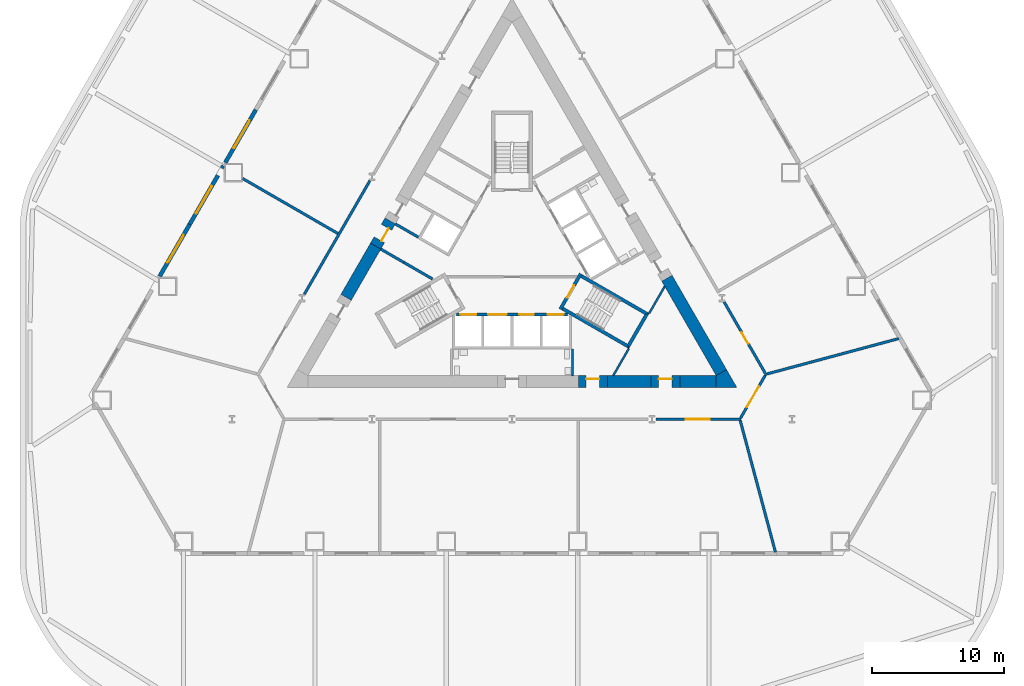
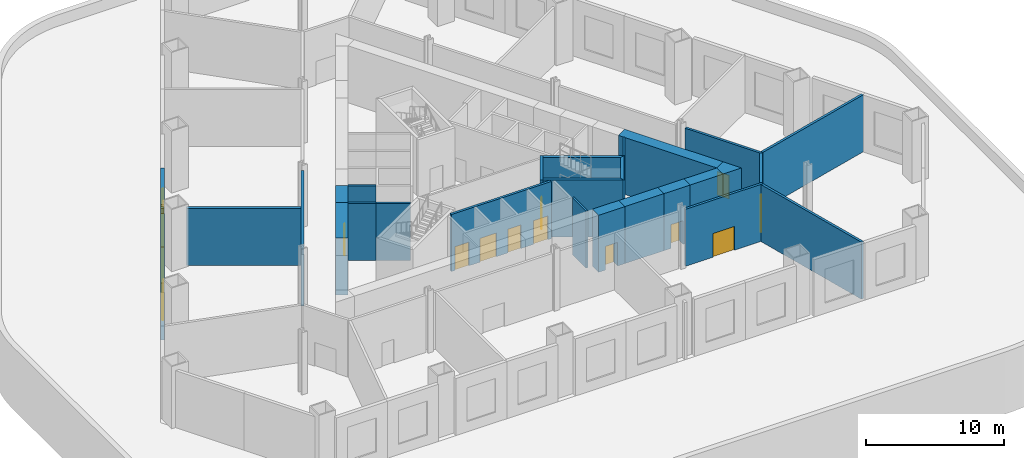
# One storey, part 4 of 10: 30 walls, 11 doors, 3 windows, 14 openings.
"""IFC4 building model written with IfcOpenShell, lengths in metres."""

from ifc_helpers import new_model, si_unit, direction, frame, frame_2d, origin, place, context, subcontext, project, spatial, polyline, rectangle, outline, extrude, material, layer, layer_set, type_object, element, fill, save


model = new_model("IFC4")

# Units and contexts
model_context = context("Model", 3, precision=1e-05, world=origin(), true_north=direction((0.0, 1.0)))
body_context = subcontext(model_context, "Body", "Model", "MODEL_VIEW")
ifc_project = project(units=[si_unit("LENGTHUNIT", "METRE"), si_unit("AREAUNIT", "SQUARE_METRE"), si_unit("VOLUMEUNIT", "CUBIC_METRE"), si_unit("PLANEANGLEUNIT", "RADIAN"), si_unit("MASSUNIT", "GRAM", prefix="KILO")], contexts=[model_context])

# Site, building, storey
site_placement = place(None, origin())
site = spatial("IfcSite", under=ifc_project, at=site_placement, CompositionType="ELEMENT")
building_placement = place(site_placement, origin())
building = spatial("IfcBuilding", under=site, at=building_placement, Name="Cormorant Prow Tower", CompositionType="ELEMENT")
storey_placement = place(building_placement, frame((0.0, 0.0, 10.0)))
storey = spatial("IfcBuildingStorey", under=building, at=storey_placement, Name="L01", CompositionType="ELEMENT", Elevation=10.0)

# Walls
ifc_material_1 = material(Name="Gypsum board partition")
ifc_layer_1 = layer(ifc_material_1, 0.14990234375)
ifc_layer_set_1 = layer_set([ifc_layer_1], Name="Gypsum board partition")
wall_type_1 = type_object("IfcWallType", Name="Core partition 150", PredefinedType="PARTITIONING", material=ifc_layer_set_1)
wall_1_placement = place(storey_placement, frame((4.574951171875, -6.906005859375, 0.0), z_axis=(0.0, 0.0, 1.0), x_axis=(0.0, -1.0, 0.0)))
element("IfcWall", 1, at=wall_1_placement, inside=storey, type_object=wall_type_1, Name="Service room partition", PredefinedType="PARTITIONING", context=body_context, shape_type="SweptSolid", body=[
    extrude(rectangle(XDim=2.009033203125, YDim=0.14990234375, at=frame_2d((1.00439453125, 0.0))), origin(), (0.0, 0.0, 1.0), 5.050048828125),
])
wall_2_placement = place(storey_placement, frame((8.82958984375, -6.880615234375, 0.0), z_axis=(0.0, 0.0, 1.0), x_axis=(-0.500073279432, -0.865983091751, 0.0)))
element("IfcWall", 2, at=wall_2_placement, inside=storey, type_object=wall_type_1, Name="Service room partition", PredefinedType="PARTITIONING", context=body_context, shape_type="SweptSolid", body=[
    extrude(rectangle(XDim=2.349365234375, YDim=0.14990234375, at=frame_2d((1.1748046875, 0.0))), origin(), (0.0, 0.0, 1.0), 5.050048828125),
])
wall_3_placement = place(storey_placement, frame((10.37353515625, -4.206298828125, 0.0), z_axis=(0.0, 0.0, 1.0), x_axis=(0.499995339376, 0.86602809458, 0.0)))
element("IfcWall", 3, at=wall_3_placement, inside=storey, type_object=wall_type_1, Name="Service room partition", PredefinedType="PARTITIONING", context=body_context, shape_type="SweptSolid", body=[
    extrude(rectangle(XDim=2.34912109375, YDim=0.14990234375, at=frame_2d((1.174560546875, 0.0))), origin(), (0.0, 0.0, 1.0), 5.050048828125),
])
ifc_material_2 = material(Name="Concrete 8000 psi", Category="concrete")
ifc_layer_2 = layer(ifc_material_2, 0.89990234375)
ifc_layer_set_2 = layer_set([ifc_layer_2], Name="Concrete 8000 psi")
wall_type_2 = type_object("IfcWallType", Name="Core shear wall 900", PredefinedType="SHEAR", material=ifc_layer_set_2)
wall_4_placement = place(storey_placement, frame((7.208984375, -9.364990234375, 0.0), z_axis=(0.0, 0.0, 1.0), x_axis=(1.0, 0.0, 0.0)))
element("IfcWall", 4, at=wall_4_placement, inside=storey, type_object=wall_type_2, Name="Core wall", PredefinedType="SHEAR", context=body_context, shape_type="SweptSolid", body=[
    extrude(rectangle(XDim=3.282470703125, YDim=0.89990234375, at=frame_2d((1.64111328125, 0.0))), origin(), (0.0, 0.0, 1.0), 5.050048828125),
])
wall_5_placement = place(storey_placement, frame((12.69140625, -9.364990234375, 0.0), z_axis=(0.0, 0.0, 1.0), x_axis=(1.0, 0.0, 0.0)))
element("IfcWall", 5, at=wall_5_placement, inside=storey, type_object=wall_type_2, Name="Core wall", PredefinedType="SHEAR", context=body_context, shape_type="SweptSolid", body=[
    extrude(rectangle(XDim=2.749755859375, YDim=0.89990234375, at=frame_2d((1.375, 0.0))), origin(), (0.0, 0.0, 1.0), 5.050048828125),
])
wall_6_placement = place(storey_placement, frame((15.830810546875, -8.68994140625, 0.0), z_axis=(0.0, 0.0, 1.0), x_axis=(-0.499995435471, 0.8660280391, 0.0)))
element("IfcWall", 6, at=wall_6_placement, inside=storey, type_object=wall_type_2, Name="Core wall", PredefinedType="SHEAR", context=body_context, shape_type="SweptSolid", body=[
    extrude(rectangle(XDim=8.23193359375, YDim=0.89990234375, at=frame_2d((4.115966796875, 0.0))), origin(), (0.0, 0.0, 1.0), 5.050048828125),
])
wall_7_placement = place(storey_placement, frame((-10.310302734375, 0.8720703125, 0.0), z_axis=(0.0, 0.0, 1.0), x_axis=(-0.499991893987, -0.866030083742, 0.0)))
element("IfcWall", 7, at=wall_7_placement, inside=storey, type_object=wall_type_2, Name="Core wall", PredefinedType="SHEAR", context=body_context, shape_type="SweptSolid", body=[
    extrude(rectangle(XDim=4.470703125, YDim=0.89990234375, at=frame_2d((2.2353515625, 0.0))), origin(), (0.0, 0.0, 1.0), 5.050048828125),
])
wall_8_placement = place(storey_placement, origin())
element("IfcWall", 8, at=wall_8_placement, inside=storey, type_object=wall_type_2, Name="Core wall corner", PredefinedType="SHEAR", context=body_context, shape_type="SweptSolid", body=[
    extrude(outline(polyline([(15.441162109375, -9.81494140625), (15.441162109375, -8.9150390625), (16.220703125, -8.465087890625), (17.0, -9.81494140625), (15.441162109375, -9.81494140625)])), origin(), (0.0, 0.0, 1.0), 5.050048828125),
])

# Wall, opening, door
wall_9_placement = place(storey_placement, frame((10.491455078125, -9.364990234375, 0.0), z_axis=(0.0, 0.0, 1.0), x_axis=(1.0, 0.0, 0.0)))
wall_9 = element("IfcWall", 9, at=wall_9_placement, inside=storey, type_object=wall_type_2, Name="Core wall door panel", PredefinedType="SHEAR", context=body_context, shape_type="SweptSolid", body=[
    extrude(rectangle(XDim=2.199951171875, YDim=0.89990234375, at=frame_2d((1.10009765625, 0.0))), origin(), (0.0, 0.0, 1.0), 5.050048828125),
])
opening_1_placement = place(wall_9_placement, frame((0.60009765625, 0.0, 0.0)))
opening_1 = element("IfcOpeningElement", 10, at=opening_1_placement, cuts=wall_9, Name="Opening L01-C17", PredefinedType="OPENING", context=body_context, shape_type="SweptSolid", body=[
    extrude(rectangle(XDim=1.0, YDim=2.10009765625, at=frame_2d((0.5, 1.050048828125))), frame((0.0, 0.4599609375, 0.0), z_axis=(0.0, -1.0, 0.0), x_axis=(1.0, 0.0, 0.0)), (0.0, 0.0, 1.0), 0.919921875),
])
ifc_material_3 = material(Name="Painted steel", Category="steel")
door_type_1 = type_object("IfcDoorType", Name="Service door 1000x2100", OperationType="NOTDEFINED", PredefinedType="DOOR", material=ifc_material_3)
door_1_placement = place(opening_1_placement, origin())
door_1 = element("IfcDoor", 11, at=door_1_placement, inside=storey, type_object=door_type_1, Name="Core door, Mechanical riser room", OperationType="SINGLE_SWING_LEFT", OverallHeight=2.10009765625, OverallWidth=1.0, PredefinedType="DOOR", context=body_context, shape_type="SweptSolid", body=[
    extrude(rectangle(XDim=1.0, YDim=2.10009765625, at=frame_2d((0.5, 1.050048828125))), frame((0.0, 0.205078125, 0.0), z_axis=(0.0, -1.0, 0.0), x_axis=(1.0, 0.0, 0.0)), (0.0, 0.0, 1.0), 0.050048828125),
])
fill(opening_1, door_1)

wall_10_placement = place(storey_placement, frame((5.009033203125, -9.364990234375, 0.0), z_axis=(0.0, 0.0, 1.0), x_axis=(1.0, 0.0, 0.0)))
wall_10 = element("IfcWall", 12, at=wall_10_placement, inside=storey, type_object=wall_type_2, Name="Core wall door panel", PredefinedType="SHEAR", context=body_context, shape_type="SweptSolid", body=[
    extrude(rectangle(XDim=2.199951171875, YDim=0.89990234375, at=frame_2d((1.10009765625, 0.0))), origin(), (0.0, 0.0, 1.0), 5.050048828125),
])
opening_2_placement = place(wall_10_placement, frame((0.60009765625, 0.0, 0.0)))
opening_2 = element("IfcOpeningElement", 13, at=opening_2_placement, cuts=wall_10, Name="Opening L01-C22", PredefinedType="OPENING", context=body_context, shape_type="SweptSolid", body=[
    extrude(rectangle(XDim=1.0, YDim=2.10009765625, at=frame_2d((0.5, 1.050048828125))), frame((0.0, 0.4599609375, 0.0), z_axis=(0.0, -1.0, 0.0), x_axis=(1.0, 0.0, 0.0)), (0.0, 0.0, 1.0), 0.919921875),
])
door_2_placement = place(opening_2_placement, origin())
door_2 = element("IfcDoor", 14, at=door_2_placement, inside=storey, type_object=door_type_1, Name="Core door, Mechanical riser room", OperationType="SINGLE_SWING_LEFT", OverallHeight=2.10009765625, OverallWidth=1.0, PredefinedType="DOOR", context=body_context, shape_type="SweptSolid", body=[
    extrude(rectangle(XDim=1.0, YDim=2.10009765625, at=frame_2d((0.5, 1.050048828125))), frame((0.0, 0.205078125, 0.0), z_axis=(0.0, -1.0, 0.0), x_axis=(1.0, 0.0, 0.0)), (0.0, 0.0, 1.0), 0.050048828125),
])
fill(opening_2, door_2)

wall_11_placement = place(storey_placement, frame((-9.210205078125, 2.777099609375, 0.0), z_axis=(0.0, 0.0, 1.0), x_axis=(-0.500077893725, -0.86598042715, 0.0)))
wall_11 = element("IfcWall", 15, at=wall_11_placement, inside=storey, type_object=wall_type_2, Name="Core wall door panel", PredefinedType="SHEAR", context=body_context, shape_type="SweptSolid", body=[
    extrude(rectangle(XDim=2.199951171875, YDim=0.89990234375, at=frame_2d((1.10009765625, 0.0))), origin(), (0.0, 0.0, 1.0), 5.050048828125),
])
opening_3_placement = place(wall_11_placement, frame((0.550048828125, 0.0, 0.0)))
opening_3 = element("IfcOpeningElement", 16, at=opening_3_placement, cuts=wall_11, Name="Opening L01-C23", PredefinedType="OPENING", context=body_context, shape_type="SweptSolid", body=[
    extrude(rectangle(XDim=1.10009765625, YDim=2.10009765625, at=frame_2d((0.550048828125, 1.050048828125))), frame((0.0, 0.4599609375, 0.0), z_axis=(0.0, -1.0, 0.0), x_axis=(1.0, 0.0, 0.0)), (0.0, 0.0, 1.0), 0.919921875),
])
ifc_material_4 = material(Name="Painted steel", Category="steel")
door_type_2 = type_object("IfcDoorType", Name="Core door 1100x2100", OperationType="NOTDEFINED", PredefinedType="DOOR", material=ifc_material_4)
door_3_placement = place(opening_3_placement, origin())
door_3 = element("IfcDoor", 17, at=door_3_placement, inside=storey, type_object=door_type_2, Name="Core door, lift lobby", OperationType="SINGLE_SWING_LEFT", OverallHeight=2.10009765625, OverallWidth=1.10009765625, PredefinedType="DOOR", context=body_context, shape_type="SweptSolid", body=[
    extrude(rectangle(XDim=1.10009765625, YDim=2.10009765625, at=frame_2d((0.550048828125, 1.050048828125))), frame((0.0, 0.205078125, 0.0), z_axis=(0.0, -1.0, 0.0), x_axis=(1.0, 0.0, 0.0)), (0.0, 0.0, 1.0), 0.050048828125),
])
fill(opening_3, door_3)

# Wall
ifc_material_5 = material(Name="Gypsum board corridor wall")
ifc_layer_3 = layer(ifc_material_5, 0.199951171875)
ifc_layer_set_3 = layer_set([ifc_layer_3], Name="Gypsum board corridor wall")
wall_type_3 = type_object("IfcWallType", Name="Corridor wall 200", PredefinedType="PARTITIONING", material=ifc_layer_set_3)
wall_12_placement = place(storey_placement, frame((-15.697509765625, -2.759033203125, 0.0), z_axis=(0.0, 0.0, 1.0), x_axis=(0.500004292778, 0.866022925334, 0.0)))
element("IfcWall", 18, at=wall_12_placement, inside=storey, type_object=wall_type_3, Name="Corridor wall", PredefinedType="PARTITIONING", context=body_context, shape_type="SweptSolid", body=[
    extrude(rectangle(XDim=9.89794921875, YDim=0.199951171875, at=frame_2d((4.948974609375, 0.0))), origin(), (0.0, 0.0, 1.0), 5.050048828125),
])

# Wall, opening, door
wall_13_placement = place(storey_placement, frame((10.873291015625, -12.215087890625, 0.0), z_axis=(0.0, 0.0, 1.0), x_axis=(1.0, 0.0, 0.0)))
wall_13 = element("IfcWall", 19, at=wall_13_placement, inside=storey, type_object=wall_type_3, Name="Corridor wall", PredefinedType="PARTITIONING", context=body_context, shape_type="SweptSolid", body=[
    extrude(rectangle(XDim=6.45751953125, YDim=0.199951171875, at=frame_2d((3.228759765625, 0.0))), origin(), (0.0, 0.0, 1.0), 5.050048828125),
])
opening_4_placement = place(wall_13_placement, frame((2.278076171875, 0.0, 0.0)))
opening_4 = element("IfcOpeningElement", 20, at=opening_4_placement, cuts=wall_13, Name="Opening L01-F10", PredefinedType="OPENING", context=body_context, shape_type="SweptSolid", body=[
    extrude(rectangle(XDim=1.800048828125, YDim=2.10009765625, at=frame_2d((0.89990234375, 1.050048828125))), frame((0.0, 0.10986328125, 0.0), z_axis=(0.0, -1.0, 0.0), x_axis=(1.0, 0.0, 0.0)), (0.0, 0.0, 1.0), 0.219970703125),
])
ifc_material_6 = material(Name="Timber door leaf", Category="wood")
door_type_3 = type_object("IfcDoorType", Name="Double door 1800x2100", OperationType="DOUBLE_DOOR_SINGLE_SWING", PredefinedType="DOOR", material=ifc_material_6)
door_4_placement = place(opening_4_placement, origin())
door_4 = element("IfcDoor", 21, at=door_4_placement, inside=storey, type_object=door_type_3, Name="Retail unit door", OperationType="DOUBLE_DOOR_SINGLE_SWING", OverallHeight=2.10009765625, OverallWidth=1.800048828125, PredefinedType="DOOR", context=body_context, shape_type="SweptSolid", body=[
    extrude(rectangle(XDim=1.800048828125, YDim=2.10009765625, at=frame_2d((0.89990234375, 1.050048828125))), frame((0.0, 0.02490234375, 0.0), z_axis=(0.0, -1.0, 0.0), x_axis=(1.0, 0.0, 0.0)), (0.0, 0.0, 1.0), 0.050048828125),
])
fill(opening_4, door_4)

wall_14_placement = place(storey_placement, frame((16.037841796875, -3.348388671875, 0.0), z_axis=(0.0, 0.0, 1.0), x_axis=(0.499988314375, -0.866032150378, 0.0)))
wall_14 = element("IfcWall", 22, at=wall_14_placement, inside=storey, type_object=wall_type_3, Name="Corridor wall", PredefinedType="PARTITIONING", context=body_context, shape_type="SweptSolid", body=[
    extrude(rectangle(XDim=6.412353515625, YDim=0.199951171875, at=frame_2d((3.2060546875, 0.0))), origin(), (0.0, 0.0, 1.0), 5.050048828125),
])
opening_5_placement = place(wall_14_placement, frame((2.656005859375, 0.0, 0.0)))
opening_5 = element("IfcOpeningElement", 23, at=opening_5_placement, cuts=wall_14, Name="Opening L01-F11", PredefinedType="OPENING", context=body_context, shape_type="SweptSolid", body=[
    extrude(rectangle(XDim=1.0, YDim=2.10009765625, at=frame_2d((0.5, 1.050048828125))), frame((0.0, 0.10986328125, 0.0), z_axis=(0.0, -1.0, 0.0), x_axis=(1.0, 0.0, 0.0)), (0.0, 0.0, 1.0), 0.219970703125),
])
ifc_material_7 = material(Name="Timber door leaf", Category="wood")
door_type_4 = type_object("IfcDoorType", Name="Flat or room entrance door 1000x2100", OperationType="NOTDEFINED", PredefinedType="DOOR", material=ifc_material_7)
door_5_placement = place(opening_5_placement, origin())
door_5 = element("IfcDoor", 24, at=door_5_placement, inside=storey, type_object=door_type_4, Name="Pharmacy door", OperationType="SINGLE_SWING_LEFT", OverallHeight=2.10009765625, OverallWidth=1.0, PredefinedType="DOOR", context=body_context, shape_type="SweptSolid", body=[
    extrude(rectangle(XDim=1.0, YDim=2.10009765625, at=frame_2d((0.5, 1.050048828125))), frame((0.0, 0.02490234375, 0.0), z_axis=(0.0, -1.0, 0.0), x_axis=(1.0, 0.0, 0.0)), (0.0, 0.0, 1.0), 0.050048828125),
])
fill(opening_5, door_5)

wall_15_placement = place(storey_placement, frame((17.281005859375, -12.12841796875, 0.0), z_axis=(0.0, 0.0, 1.0), x_axis=(0.499958791762, 0.866049194065, 0.0)))
wall_15 = element("IfcWall", 25, at=wall_15_placement, inside=storey, type_object=wall_type_3, Name="Corridor wall", PredefinedType="PARTITIONING", context=body_context, shape_type="SweptSolid", body=[
    extrude(rectangle(XDim=3.725830078125, YDim=0.199951171875, at=frame_2d((1.86279296875, 0.0))), origin(), (0.0, 0.0, 1.0), 5.050048828125),
])
opening_6_placement = place(wall_15_placement, frame((0.962890625, 0.0, 0.0)))
opening_6 = element("IfcOpeningElement", 26, at=opening_6_placement, cuts=wall_15, Name="Opening L01-F08", PredefinedType="OPENING", context=body_context, shape_type="SweptSolid", body=[
    extrude(rectangle(XDim=1.800048828125, YDim=2.10009765625, at=frame_2d((0.89990234375, 1.050048828125))), frame((0.0, 0.10986328125, 0.0), z_axis=(0.0, -1.0, 0.0), x_axis=(1.0, 0.0, 0.0)), (0.0, 0.0, 1.0), 0.219970703125),
])
door_6_placement = place(opening_6_placement, origin())
door_6 = element("IfcDoor", 27, at=door_6_placement, inside=storey, type_object=door_type_3, Name="Serviced office door", OperationType="DOUBLE_DOOR_SINGLE_SWING", OverallHeight=2.10009765625, OverallWidth=1.800048828125, PredefinedType="DOOR", context=body_context, shape_type="SweptSolid", body=[
    extrude(rectangle(XDim=1.800048828125, YDim=2.10009765625, at=frame_2d((0.89990234375, 1.050048828125))), frame((0.0, 0.02490234375, 0.0), z_axis=(0.0, -1.0, 0.0), x_axis=(1.0, 0.0, 0.0)), (0.0, 0.0, 1.0), 0.050048828125),
])
fill(opening_6, door_6)

# Walls
ifc_material_8 = material(Name="Gypsum board demising wall")
ifc_layer_4 = layer(ifc_material_8, 0.199951171875)
ifc_layer_set_4 = layer_set([ifc_layer_4], Name="Gypsum board demising wall")
wall_type_4 = type_object("IfcWallType", Name="Demising wall 200", PredefinedType="PARTITIONING", material=ifc_layer_set_4)
for number, where, z_axis, x_axis, name in (
    (28, (19.29052734375, -8.7890625, 0.0), (0.0, 0.0, 1.0), (0.965818413341, 0.259219583464, 0.0), "Demising wall"),
    (29, (17.256591796875, -12.3115234375, 0.0), (0.0, 0.0, 1.0), (0.258415425443, -0.966033885479, 0.0), "Demising wall"),
):
    element("IfcWall", number, at=place(storey_placement, frame(where, z_axis=z_axis, x_axis=x_axis)), inside=storey, type_object=wall_type_4, Name=name, PredefinedType="PARTITIONING", context=body_context, shape_type="SweptSolid", body=[
        extrude(rectangle(XDim=10.31396484375, YDim=0.199951171875, at=frame_2d((5.156982421875, 0.0))), origin(), (0.0, 0.0, 1.0), 5.050048828125),
    ])
wall_16_placement = place(storey_placement, frame((-20.35791015625, 5.97998046875, 0.0), z_axis=(0.0, 0.0, 1.0), x_axis=(0.866036778076, -0.499980298632, 0.0)))
element("IfcWall", 30, at=wall_16_placement, inside=storey, type_object=wall_type_4, Name="Demising wall", PredefinedType="PARTITIONING", context=body_context, shape_type="SweptSolid", body=[
    extrude(rectangle(XDim=8.305419921875, YDim=0.199951171875, at=frame_2d((4.15283203125, 0.0))), origin(), (0.0, 0.0, 1.0), 5.050048828125),
])
wall_17_placement = place(storey_placement, frame((-22.0, 6.92822265625, 0.0), z_axis=(0.0, 0.0, 1.0), x_axis=(0.866185586049, -0.49972245349, 0.0)))
element("IfcWall", 31, at=wall_17_placement, inside=storey, type_object=wall_type_4, Name="Demising wall", PredefinedType="PARTITIONING", context=body_context, shape_type="SweptSolid", body=[
    extrude(rectangle(XDim=0.256591796875, YDim=0.199951171875, at=frame_2d((0.12841796875, 0.0))), origin(), (0.0, 0.0, 1.0), 5.050048828125),
])

# Wall, openings, doors
ifc_material_9 = material(Name="Concrete 5000 psi", Category="concrete")
ifc_layer_5 = layer(ifc_material_9, 0.199951171875)
ifc_layer_set_5 = layer_set([ifc_layer_5], Name="Concrete 5000 psi")
wall_type_5 = type_object("IfcWallType", Name="Lift lobby wall 200", PredefinedType="SOLIDWALL", material=ifc_layer_set_5)
wall_18_placement = place(storey_placement, frame((-4.1865234375, -4.300048828125, 0.0), z_axis=(0.0, 0.0, 1.0), x_axis=(1.0, 0.0, 0.0)))
wall_18 = element("IfcWall", 32, at=wall_18_placement, inside=storey, type_object=wall_type_5, Name="Lift lobby wall, S block", PredefinedType="SOLIDWALL", context=body_context, shape_type="SweptSolid", body=[
    extrude(rectangle(XDim=8.373046875, YDim=0.199951171875, at=frame_2d((4.1865234375, 0.0))), origin(), (0.0, 0.0, 1.0), 5.050048828125),
])
opening_7_placement = place(wall_18_placement, frame((0.28662109375, 0.0, 0.0)))
opening_7 = element("IfcOpeningElement", 33, at=opening_7_placement, cuts=wall_18, Name="Opening L01-C01", PredefinedType="OPENING", context=body_context, shape_type="SweptSolid", body=[
    extrude(rectangle(XDim=1.199951171875, YDim=2.10009765625, at=frame_2d((0.60009765625, 1.050048828125))), frame((0.0, 0.10986328125, 0.0), z_axis=(0.0, -1.0, 0.0), x_axis=(1.0, 0.0, 0.0)), (0.0, 0.0, 1.0), 0.219970703125),
])
opening_8_placement = place(wall_18_placement, frame((2.38671875, 0.0, 0.0)))
opening_8 = element("IfcOpeningElement", 34, at=opening_8_placement, cuts=wall_18, Name="Opening L01-C02", PredefinedType="OPENING", context=body_context, shape_type="SweptSolid", body=[
    extrude(rectangle(XDim=1.39990234375, YDim=2.10009765625, at=frame_2d((0.699951171875, 1.050048828125))), frame((0.0, 0.10986328125, 0.0), z_axis=(0.0, -1.0, 0.0), x_axis=(1.0, 0.0, 0.0)), (0.0, 0.0, 1.0), 0.219970703125),
])
opening_9_placement = place(wall_18_placement, frame((4.736572265625, 0.0, 0.0)))
opening_9 = element("IfcOpeningElement", 35, at=opening_9_placement, cuts=wall_18, Name="Opening L01-C03", PredefinedType="OPENING", context=body_context, shape_type="SweptSolid", body=[
    extrude(rectangle(XDim=1.10009765625, YDim=2.10009765625, at=frame_2d((0.550048828125, 1.050048828125))), frame((0.0, 0.10986328125, 0.0), z_axis=(0.0, -1.0, 0.0), x_axis=(1.0, 0.0, 0.0)), (0.0, 0.0, 1.0), 0.219970703125),
])
opening_10_placement = place(wall_18_placement, frame((6.88671875, 0.0, 0.0)))
opening_10 = element("IfcOpeningElement", 36, at=opening_10_placement, cuts=wall_18, Name="Opening L01-C04", PredefinedType="OPENING", context=body_context, shape_type="SweptSolid", body=[
    extrude(rectangle(XDim=1.199951171875, YDim=2.10009765625, at=frame_2d((0.60009765625, 1.050048828125))), frame((0.0, 0.10986328125, 0.0), z_axis=(0.0, -1.0, 0.0), x_axis=(1.0, 0.0, 0.0)), (0.0, 0.0, 1.0), 0.219970703125),
])
ifc_material_10 = material(Name="Painted steel", Category="steel")
door_type_5 = type_object("IfcDoorType", Name="Firefighting lift landing door 1200x2100", OperationType="SLIDING_TO_LEFT", PredefinedType="DOOR", material=ifc_material_10)
door_7_placement = place(opening_7_placement, origin())
door_7 = element("IfcDoor", 37, at=door_7_placement, inside=storey, type_object=door_type_5, Name="Landing door FL1", OperationType="SLIDING_TO_LEFT", OverallHeight=2.10009765625, OverallWidth=1.199951171875, PredefinedType="DOOR", context=body_context, shape_type="SweptSolid", body=[
    extrude(rectangle(XDim=1.199951171875, YDim=2.10009765625, at=frame_2d((0.60009765625, 1.050048828125))), frame((0.0, 0.02490234375, 0.0), z_axis=(0.0, -1.0, 0.0), x_axis=(1.0, 0.0, 0.0)), (0.0, 0.0, 1.0), 0.050048828125),
])
fill(opening_7, door_7)
door_8_placement = place(opening_10_placement, origin())
door_8 = element("IfcDoor", 38, at=door_8_placement, inside=storey, type_object=door_type_5, Name="Landing door FL2", OperationType="SLIDING_TO_LEFT", OverallHeight=2.10009765625, OverallWidth=1.199951171875, PredefinedType="DOOR", context=body_context, shape_type="SweptSolid", body=[
    extrude(rectangle(XDim=1.199951171875, YDim=2.10009765625, at=frame_2d((0.60009765625, 1.050048828125))), frame((0.0, 0.02490234375, 0.0), z_axis=(0.0, -1.0, 0.0), x_axis=(1.0, 0.0, 0.0)), (0.0, 0.0, 1.0), 0.050048828125),
])
fill(opening_10, door_8)
ifc_material_11 = material(Name="Painted steel", Category="steel")
door_type_6 = type_object("IfcDoorType", Name="Lift landing door 1100x2100", OperationType="SLIDING_TO_LEFT", PredefinedType="DOOR", material=ifc_material_11)
door_9_placement = place(opening_9_placement, origin())
door_9 = element("IfcDoor", 39, at=door_9_placement, inside=storey, type_object=door_type_6, Name="Landing door LR1", OperationType="SLIDING_TO_LEFT", OverallHeight=2.10009765625, OverallWidth=1.10009765625, PredefinedType="DOOR", context=body_context, shape_type="SweptSolid", body=[
    extrude(rectangle(XDim=1.10009765625, YDim=2.10009765625, at=frame_2d((0.550048828125, 1.050048828125))), frame((0.0, 0.02490234375, 0.0), z_axis=(0.0, -1.0, 0.0), x_axis=(1.0, 0.0, 0.0)), (0.0, 0.0, 1.0), 0.050048828125),
])
fill(opening_9, door_9)
ifc_material_12 = material(Name="Painted steel", Category="steel")
door_type_7 = type_object("IfcDoorType", Name="Service lift landing door 1400x2100", OperationType="SLIDING_TO_LEFT", PredefinedType="DOOR", material=ifc_material_12)
door_10_placement = place(opening_8_placement, origin())
door_10 = element("IfcDoor", 40, at=door_10_placement, inside=storey, type_object=door_type_7, Name="Landing door SL1", OperationType="SLIDING_TO_LEFT", OverallHeight=2.10009765625, OverallWidth=1.39990234375, PredefinedType="DOOR", context=body_context, shape_type="SweptSolid", body=[
    extrude(rectangle(XDim=1.39990234375, YDim=2.10009765625, at=frame_2d((0.699951171875, 1.050048828125))), frame((0.0, 0.02490234375, 0.0), z_axis=(0.0, -1.0, 0.0), x_axis=(1.0, 0.0, 0.0)), (0.0, 0.0, 1.0), 0.050048828125),
])
fill(opening_8, door_10)

# Walls
ifc_material_13 = material(Name="Concrete 8000 psi", Category="concrete")
ifc_layer_6 = layer(ifc_material_13, 0.199951171875)
ifc_layer_set_6 = layer_set([ifc_layer_6], Name="Concrete 8000 psi")
wall_type_6 = type_object("IfcWallType", Name="Lift shaft wall 200", PredefinedType="SHEAR", material=ifc_layer_set_6)
wall_19_placement = place(storey_placement, origin())
element("IfcWall", 41, at=wall_19_placement, inside=storey, type_object=wall_type_6, Name="Lift shaft walls, WNW block", PredefinedType="SHEAR", context=body_context, shape_type="SweptSolid", body=[
    extrude(outline(polyline([(-6.060546875, -1.697021484375), (-8.230712890625, -0.444091796875), (-8.130859375, -0.27099609375), (-5.96044921875, -1.52392578125), (-6.060546875, -1.697021484375)])), origin(), (0.0, 0.0, 1.0), 5.050048828125),
])
wall_20_placement = place(storey_placement, frame((-7.080810546875, 1.547607421875, 0.0), z_axis=(0.0, 0.0, 1.0), x_axis=(-0.865983199114, 0.50007309351, 0.0)))
element("IfcWall", 42, at=wall_20_placement, inside=storey, type_object=wall_type_6, Name="Lobby passage wall", PredefinedType="SHEAR", context=body_context, shape_type="SweptSolid", body=[
    extrude(rectangle(XDim=2.009033203125, YDim=0.199951171875, at=frame_2d((1.00439453125, 0.0))), origin(), (0.0, 0.0, 1.0), 5.050048828125),
])
wall_21_placement = place(storey_placement, frame((-8.180908203125, -0.357421875, 0.0), z_axis=(0.0, 0.0, 1.0), x_axis=(-0.866035824272, 0.499981950752, 0.0)))
element("IfcWall", 43, at=wall_21_placement, inside=storey, type_object=wall_type_6, Name="Lobby passage wall", PredefinedType="SHEAR", context=body_context, shape_type="SweptSolid", body=[
    extrude(rectangle(XDim=2.0087890625, YDim=0.199951171875, at=frame_2d((1.00439453125, 0.0))), origin(), (0.0, 0.0, 1.0), 5.050048828125),
])
ifc_material_14 = material(Name="Concrete 8000 psi", Category="concrete")
ifc_layer_7 = layer(ifc_material_14, 0.25)
ifc_layer_set_7 = layer_set([ifc_layer_7], Name="Concrete 8000 psi")
wall_type_7 = type_object("IfcWallType", Name="Stair wall 250", PredefinedType="SHEAR", material=ifc_layer_set_7)
wall_22_placement = place(storey_placement, origin())
element("IfcWall", 44, at=wall_22_placement, inside=storey, type_object=wall_type_7, Name="Stair ST2 enclosure wall (flank)", PredefinedType="SHEAR", context=body_context, shape_type="SweptSolid", body=[
    extrude(outline(polyline([(3.76318359375, -3.95556640625), (8.82958984375, -6.880615234375), (8.738037109375, -6.5390625), (3.88818359375, -3.739013671875), (3.76318359375, -3.95556640625)])), origin(), (0.0, 0.0, 1.0), 5.050048828125),
])
wall_23_placement = place(storey_placement, origin())
element("IfcWall", 45, at=wall_23_placement, inside=storey, type_object=wall_type_7, Name="Stair ST2 enclosure wall (end)", PredefinedType="SHEAR", context=body_context, shape_type="SweptSolid", body=[
    extrude(outline(polyline([(8.82958984375, -6.880615234375), (10.37353515625, -4.206298828125), (10.031982421875, -4.2978515625), (8.738037109375, -6.5390625), (8.82958984375, -6.880615234375)])), origin(), (0.0, 0.0, 1.0), 5.050048828125),
])
wall_24_placement = place(storey_placement, origin())
element("IfcWall", 46, at=wall_24_placement, inside=storey, type_object=wall_type_7, Name="Stair ST2 enclosure wall (flank)", PredefinedType="SHEAR", context=body_context, shape_type="SweptSolid", body=[
    extrude(outline(polyline([(10.031982421875, -4.2978515625), (10.37353515625, -4.206298828125), (5.30712890625, -1.28125), (5.18212890625, -1.497802734375), (10.031982421875, -4.2978515625)])), origin(), (0.0, 0.0, 1.0), 5.050048828125),
])

# Wall, opening, door
wall_25_placement = place(storey_placement, frame((3.655029296875, -3.89306640625, 0.0), z_axis=(0.0, 0.0, 1.0), x_axis=(0.499982516597, 0.866035497597, 0.0)))
wall_25 = element("IfcWall", 47, at=wall_25_placement, inside=storey, type_object=wall_type_7, Name="Stair ST2 door wall", PredefinedType="SHEAR", context=body_context, shape_type="SweptSolid", body=[
    extrude(rectangle(XDim=3.087890625, YDim=0.25, at=frame_2d((1.5439453125, 0.0))), origin(), (0.0, 0.0, 1.0), 5.050048828125),
])
opening_11_placement = place(wall_25_placement, frame((0.993896484375, 0.0, 0.0)))
opening_11 = element("IfcOpeningElement", 48, at=opening_11_placement, cuts=wall_25, Name="Opening L01-C13", PredefinedType="OPENING", context=body_context, shape_type="SweptSolid", body=[
    extrude(rectangle(XDim=1.10009765625, YDim=2.10009765625, at=frame_2d((0.550048828125, 1.050048828125))), frame((0.0, 0.135009765625, 0.0), z_axis=(0.0, -1.0, 0.0), x_axis=(1.0, 0.0, 0.0)), (0.0, 0.0, 1.0), 0.27001953125),
])
ifc_material_15 = material(Name="Painted steel", Category="steel")
door_type_8 = type_object("IfcDoorType", Name="Stair door 1100x2100", OperationType="NOTDEFINED", PredefinedType="DOOR", material=ifc_material_15)
door_11_placement = place(opening_11_placement, origin())
door_11 = element("IfcDoor", 49, at=door_11_placement, inside=storey, type_object=door_type_8, Name="Stair ST2 door", OperationType="SINGLE_SWING_RIGHT", OverallHeight=2.10009765625, OverallWidth=1.10009765625, PredefinedType="DOOR", context=body_context, shape_type="SweptSolid", body=[
    extrude(rectangle(XDim=1.10009765625, YDim=2.10009765625, at=frame_2d((0.550048828125, 1.050048828125))), frame((0.0, 0.02490234375, 0.0), z_axis=(0.0, -1.0, 0.0), x_axis=(1.0, 0.0, 0.0)), (0.0, 0.0, 1.0), 0.050048828125),
])
fill(opening_11, door_11)

# Wall, opening, window
ifc_material_16 = material(Name="Terracotta", Category="masonry")
ifc_layer_8 = layer(ifc_material_16, 0.300048828125)
ifc_layer_set_8 = layer_set([ifc_layer_8], Name="Terracotta")
wall_type_8 = type_object("IfcWallType", Name="Terracotta podium cladding wall 300", PredefinedType="SOLIDWALL", material=ifc_layer_set_8)
wall_26_placement = place(storey_placement, frame((-19.3701171875, 11.183349609375, 0.0), z_axis=(0.0, 0.0, 1.0), x_axis=(-0.499982117899, -0.866035727774, 0.0)))
wall_26 = element("IfcWall", 50, at=wall_26_placement, inside=storey, type_object=wall_type_8, Name="Terracotta podium wall WNW05", PredefinedType="SOLIDWALL", context=body_context, shape_type="SweptSolid", body=[
    extrude(rectangle(XDim=4.612060546875, YDim=0.300048828125, at=frame_2d((2.30615234375, 0.0))), origin(), (0.0, 0.0, 1.0), 5.050048828125),
])
opening_12_placement = place(wall_26_placement, frame((0.93505859375, 0.0, 0.89990234375)))
opening_12 = element("IfcOpeningElement", 51, at=opening_12_placement, cuts=wall_26, Name="Opening WN21", PredefinedType="OPENING", context=body_context, shape_type="SweptSolid", body=[
    extrude(rectangle(XDim=2.39990234375, YDim=3.0, at=frame_2d((1.199951171875, 1.5))), frame((0.0, 0.159912109375, 0.0), z_axis=(0.0, -1.0, 0.0), x_axis=(1.0, 0.0, 0.0)), (0.0, 0.0, 1.0), 0.320068359375),
])
ifc_material_17 = material(Name="Aluminium 6063-T6", Category="aluminium")
window_type = type_object("IfcWindowType", Name="Podium window 2400x3000", PartitioningType="SINGLE_PANEL", PredefinedType="WINDOW", material=ifc_material_17)
window_1_placement = place(opening_12_placement, origin())
window_1 = element("IfcWindow", 52, at=window_1_placement, inside=storey, type_object=window_type, Name="Podium window WNW05", OverallHeight=3.0, OverallWidth=2.39990234375, PartitioningType="SINGLE_PANEL", PredefinedType="WINDOW", context=body_context, shape_type="SweptSolid", body=[
    extrude(rectangle(XDim=2.39990234375, YDim=3.0, at=frame_2d((1.199951171875, 1.5))), frame((0.0, 0.030029296875, 0.0), z_axis=(0.0, -1.0, 0.0), x_axis=(1.0, 0.0, 0.0)), (0.0, 0.0, 1.0), 0.06005859375),
])
fill(opening_12, window_1)

wall_27_placement = place(storey_placement, frame((-22.235107421875, 6.220947265625, 0.0), z_axis=(0.0, 0.0, 1.0), x_axis=(-0.500019418418, -0.866014192265, 0.0)))
wall_27 = element("IfcWall", 53, at=wall_27_placement, inside=storey, type_object=wall_type_8, Name="Terracotta podium wall WNW06", PredefinedType="SOLIDWALL", context=body_context, shape_type="SweptSolid", body=[
    extrude(rectangle(XDim=4.269775390625, YDim=0.300048828125, at=frame_2d((2.134765625, 0.0))), origin(), (0.0, 0.0, 1.0), 5.050048828125),
])
opening_13_placement = place(wall_27_placement, frame((0.93505859375, 0.0, 0.89990234375)))
opening_13 = element("IfcOpeningElement", 54, at=opening_13_placement, cuts=wall_27, Name="Opening WN21", PredefinedType="OPENING", context=body_context, shape_type="SweptSolid", body=[
    extrude(rectangle(XDim=2.39990234375, YDim=3.0, at=frame_2d((1.199951171875, 1.5))), frame((0.0, 0.159912109375, 0.0), z_axis=(0.0, -1.0, 0.0), x_axis=(1.0, 0.0, 0.0)), (0.0, 0.0, 1.0), 0.320068359375),
])
window_2_placement = place(opening_13_placement, origin())
window_2 = element("IfcWindow", 55, at=window_2_placement, inside=storey, type_object=window_type, Name="Podium window WNW06", OverallHeight=3.0, OverallWidth=2.39990234375, PartitioningType="SINGLE_PANEL", PredefinedType="WINDOW", context=body_context, shape_type="SweptSolid", body=[
    extrude(rectangle(XDim=2.39990234375, YDim=3.0, at=frame_2d((1.199951171875, 1.5))), frame((0.0, 0.030029296875, 0.0), z_axis=(0.0, -1.0, 0.0), x_axis=(1.0, 0.0, 0.0)), (0.0, 0.0, 1.0), 0.06005859375),
])
fill(opening_13, window_2)

wall_28_placement = place(storey_placement, frame((-24.3701171875, 2.523193359375, 0.0), z_axis=(0.0, 0.0, 1.0), x_axis=(-0.499964285679, -0.866046022475, 0.0)))
wall_28 = element("IfcWall", 56, at=wall_28_placement, inside=storey, type_object=wall_type_8, Name="Terracotta podium wall WNW07", PredefinedType="SOLIDWALL", context=body_context, shape_type="SweptSolid", body=[
    extrude(rectangle(XDim=4.544189453125, YDim=0.300048828125, at=frame_2d((2.27197265625, 0.0))), origin(), (0.0, 0.0, 1.0), 5.050048828125),
])
opening_14_placement = place(wall_28_placement, frame((0.93505859375, 0.0, 0.89990234375)))
opening_14 = element("IfcOpeningElement", 57, at=opening_14_placement, cuts=wall_28, Name="Opening WN21", PredefinedType="OPENING", context=body_context, shape_type="SweptSolid", body=[
    extrude(rectangle(XDim=2.39990234375, YDim=3.0, at=frame_2d((1.199951171875, 1.5))), frame((0.0, 0.159912109375, 0.0), z_axis=(0.0, -1.0, 0.0), x_axis=(1.0, 0.0, 0.0)), (0.0, 0.0, 1.0), 0.320068359375),
])
window_3_placement = place(opening_14_placement, origin())
window_3 = element("IfcWindow", 58, at=window_3_placement, inside=storey, type_object=window_type, Name="Podium window WNW07", OverallHeight=3.0, OverallWidth=2.39990234375, PartitioningType="SINGLE_PANEL", PredefinedType="WINDOW", context=body_context, shape_type="SweptSolid", body=[
    extrude(rectangle(XDim=2.39990234375, YDim=3.0, at=frame_2d((1.199951171875, 1.5))), frame((0.0, 0.030029296875, 0.0), z_axis=(0.0, -1.0, 0.0), x_axis=(1.0, 0.0, 0.0)), (0.0, 0.0, 1.0), 0.06005859375),
])
fill(opening_14, window_3)

save(model, "model.ifc")
